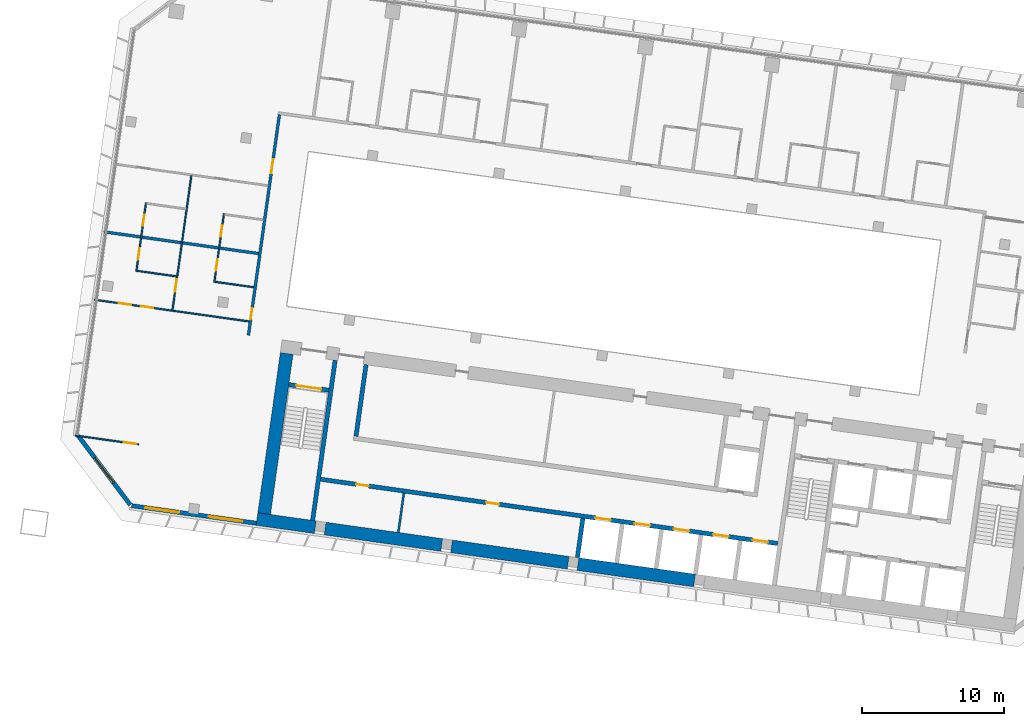
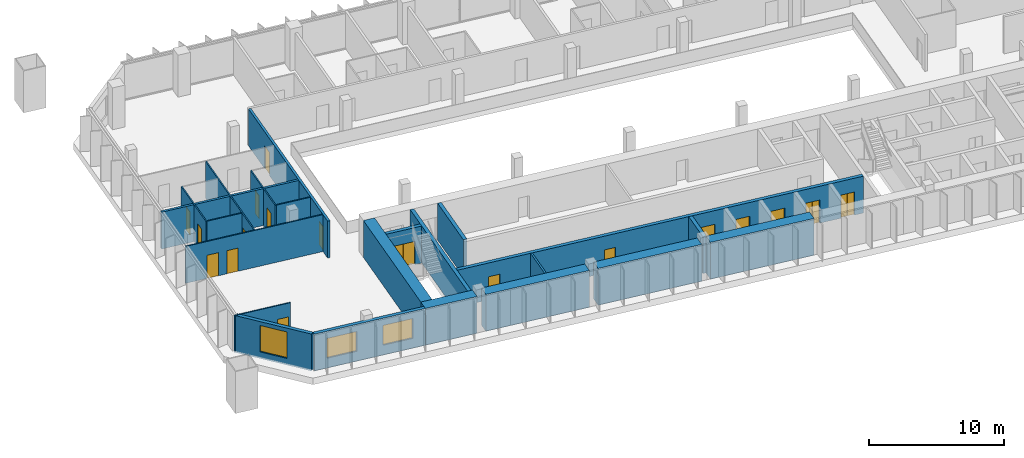
# One storey, part 14 of 24: 22 walls, 18 doors, 3 windows, 21 openings.
"""IFC4 building model written with IfcOpenShell, lengths in metres."""

from ifc_helpers import new_model, si_unit, direction, frame, frame_2d, origin, place, context, subcontext, project, spatial, rectangle, extrude, material, layer, layer_set, type_object, element, fill, save


model = new_model("IFC4")

# Units and contexts
model_context = context("Model", 3, precision=1e-05, world=origin(), true_north=direction((0.0, 1.0)))
body_context = subcontext(model_context, "Body", "Model", "MODEL_VIEW")
ifc_project = project(units=[si_unit("LENGTHUNIT", "METRE"), si_unit("AREAUNIT", "SQUARE_METRE"), si_unit("VOLUMEUNIT", "CUBIC_METRE"), si_unit("PLANEANGLEUNIT", "RADIAN"), si_unit("MASSUNIT", "GRAM", prefix="KILO")], contexts=[model_context])

# Site, building, storey
site_placement = place(None, origin())
site = spatial("IfcSite", under=ifc_project, at=site_placement, CompositionType="ELEMENT")
building_placement = place(site_placement, origin())
building = spatial("IfcBuilding", under=site, at=building_placement, Name="Mirante Cascada Hotel Towers", CompositionType="ELEMENT")
storey_placement = place(building_placement, frame((0.0, 0.0, 47.1)))
storey = spatial("IfcBuildingStorey", under=building, at=storey_placement, Name="L08", CompositionType="ELEMENT", Elevation=47.1)

# Wall
ifc_material_1 = material(Name="Fire-rated plasterboard on metal studs")
ifc_layer_1 = layer(ifc_material_1, 0.2)
ifc_layer_set_1 = layer_set([ifc_layer_1], Name="Compartment wall 200 EI 120")
wall_type_1 = type_object("IfcWallType", Name="Compartment wall 200 EI 120", PredefinedType="PARTITIONING", material=ifc_layer_set_1)
wall_1_placement = place(storey_placement, frame((-90.4064, 6.4896, 0.0), z_axis=(0.0, 0.0, 1.0), x_axis=(-0.990268, 0.1391733, 0.0)))
element("IfcWall", 1, at=wall_1_placement, inside=storey, type_object=wall_type_1, Name="Wall 1-L08-09", PredefinedType="PARTITIONING", context=body_context, shape_type="SweptSolid", body=[
    extrude(rectangle(XDim=11.0, YDim=0.2, at=frame_2d((5.5, 0.0))), origin(), (0.0, 0.0, 1.0), 3.35),
])

# Wall, openings, doors
wall_2_placement = place(storey_placement, frame((-88.9295, 16.2793, 0.0), z_axis=(0.0, 0.0, 1.0), x_axis=(-0.1391721, -0.9902682, 0.0)))
wall_2 = element("IfcWall", 2, at=wall_2_placement, inside=storey, type_object=wall_type_1, Name="Wall 1-L08-54", PredefinedType="PARTITIONING", context=body_context, shape_type="SweptSolid", body=[
    extrude(rectangle(XDim=15.7, YDim=0.2, at=frame_2d((7.85, 0.0))), origin(), (0.0, 0.0, 1.0), 3.35),
])
opening_1_placement = place(wall_2_placement, frame((13.7833, 0.0, 0.0)))
opening_1 = element("IfcOpeningElement", 3, at=opening_1_placement, cuts=wall_2, Name="Opening D1-L08-35", PredefinedType="OPENING", context=body_context, shape_type="SweptSolid", body=[
    extrude(rectangle(XDim=0.8, YDim=2.1, at=frame_2d((0.4, 1.05))), frame((0.0, 0.1, 0.0), z_axis=(0.0, -1.0, 0.0), x_axis=(1.0, 0.0, 0.0)), (0.0, 0.0, 1.0), 0.2),
])
opening_2_placement = place(wall_2_placement, frame((3.1834, 0.0, 0.0)))
opening_2 = element("IfcOpeningElement", 4, at=opening_2_placement, cuts=wall_2, Name="Opening D1-L08-36", PredefinedType="OPENING", context=body_context, shape_type="SweptSolid", body=[
    extrude(rectangle(XDim=1.0, YDim=2.1, at=frame_2d((0.5, 1.05))), frame((0.0, 0.1, 0.0), z_axis=(0.0, -1.0, 0.0), x_axis=(1.0, 0.0, 0.0)), (0.0, 0.0, 1.0), 0.2),
])
ifc_material_2 = material(Name="Fire-rated timber door leaf", Category="wood")
door_type_1 = type_object("IfcDoorType", Name="Bathroom door DG4 800x2100 EI 60", OperationType="SINGLE_SWING_LEFT", PredefinedType="DOOR", material=ifc_material_2)
door_1_placement = place(opening_1_placement, origin())
door_1 = element("IfcDoor", 5, at=door_1_placement, inside=storey, type_object=door_type_1, Name="Door D1-L08-35", OperationType="SINGLE_SWING_LEFT", OverallHeight=2.1, OverallWidth=0.8, PredefinedType="DOOR", context=body_context, shape_type="SweptSolid", body=[
    extrude(rectangle(XDim=0.8, YDim=2.1, at=frame_2d((0.4, 1.05))), frame((0.0, 0.025, 0.0), z_axis=(0.0, -1.0, 0.0), x_axis=(1.0, 0.0, 0.0)), (0.0, 0.0, 1.0), 0.05),
])
fill(opening_1, door_1)
ifc_material_3 = material(Name="Fire-rated timber door leaf", Category="wood")
door_type_2 = type_object("IfcDoorType", Name="Entrance door DG1 1000x2100 EI 60", OperationType="SINGLE_SWING_LEFT", PredefinedType="DOOR", material=ifc_material_3)
door_2_placement = place(opening_2_placement, frame((1.0, 0.0, 0.0), z_axis=(0.0, 0.0, 1.0), x_axis=(-1.0, 0.0, 0.0)))
door_2 = element("IfcDoor", 6, at=door_2_placement, inside=storey, type_object=door_type_2, Name="Door D1-L08-36", OperationType="SINGLE_SWING_RIGHT", OverallHeight=2.1, OverallWidth=1.0, PredefinedType="DOOR", context=body_context, shape_type="SweptSolid", body=[
    extrude(rectangle(XDim=1.0, YDim=2.1, at=frame_2d((0.5, 1.05))), frame((0.0, 0.025, 0.0), z_axis=(0.0, -1.0, 0.0), x_axis=(1.0, 0.0, 0.0)), (0.0, 0.0, 1.0), 0.05),
])
fill(opening_2, door_2)

# Wall
ifc_material_4 = material(Name="Masonry block", Category="masonry")
ifc_layer_2 = layer(ifc_material_4, 0.15)
ifc_layer_set_2 = layer_set([ifc_layer_2], Name="Core room partition 150 block EI 30")
wall_type_2 = type_object("IfcWallType", Name="Core room partition 150 block EI 30", PredefinedType="PARTITIONING", material=ifc_layer_set_2)
wall_3_placement = place(storey_placement, frame((-80.547, -13.174, 0.0), z_axis=(0.0, 0.0, 1.0), x_axis=(0.139176, 0.9902677, 0.0)))
element("IfcWall", 7, at=wall_3_placement, inside=storey, type_object=wall_type_2, Name="Core wall partition T1 L08 4", PredefinedType="PARTITIONING", context=body_context, shape_type="SweptSolid", body=[
    extrude(rectangle(XDim=2.8001, YDim=0.15, at=frame_2d((1.4, 0.0))), origin(), (0.0, 0.0, 1.0), 3.35),
])

# Wall, opening, door
ifc_material_5 = material(Name="Plasterboard on metal studs")
ifc_layer_3 = layer(ifc_material_5, 0.1)
ifc_layer_set_3 = layer_set([ifc_layer_3], Name="Partition 100")
wall_type_3 = type_object("IfcWallType", Name="Partition 100", PredefinedType="PARTITIONING", material=ifc_layer_set_3)
wall_4_placement = place(storey_placement, frame((-98.8611, -6.9647, 0.0), z_axis=(0.0, 0.0, 1.0), x_axis=(-0.9902674, 0.1391779, 0.0)))
wall_4 = element("IfcWall", 8, at=wall_4_placement, inside=storey, type_object=wall_type_3, Name="Wall 1-L08-01", PredefinedType="PARTITIONING", context=body_context, shape_type="SweptSolid", body=[
    extrude(rectangle(XDim=4.5, YDim=0.1, at=frame_2d((2.25, 0.0))), origin(), (0.0, 0.0, 1.0), 3.35),
])
opening_3_placement = place(wall_4_placement, frame((0.15, 0.0, 0.0)))
opening_3 = element("IfcOpeningElement", 9, at=opening_3_placement, cuts=wall_4, Name="Opening D1-L08-01", PredefinedType="OPENING", context=body_context, shape_type="SweptSolid", body=[
    extrude(rectangle(XDim=0.9, YDim=2.1, at=frame_2d((0.45, 1.05))), frame((0.0, 0.05, 0.0), z_axis=(0.0, -1.0, 0.0), x_axis=(1.0, 0.0, 0.0)), (0.0, 0.0, 1.0), 0.1),
])
ifc_material_6 = material(Name="Timber door leaf", Category="wood")
door_type_3 = type_object("IfcDoorType", Name="Room door DG3 900x2100", OperationType="SINGLE_SWING_LEFT", PredefinedType="DOOR", material=ifc_material_6)
door_3_placement = place(opening_3_placement, frame((0.9, 0.0, 0.0), z_axis=(0.0, 0.0, 1.0), x_axis=(-1.0, 0.0, 0.0)))
door_3 = element("IfcDoor", 10, at=door_3_placement, inside=storey, type_object=door_type_3, Name="Door D1-L08-01", OperationType="SINGLE_SWING_RIGHT", OverallHeight=2.1, OverallWidth=0.9, PredefinedType="DOOR", context=body_context, shape_type="SweptSolid", body=[
    extrude(rectangle(XDim=0.9, YDim=2.1, at=frame_2d((0.45, 1.05))), frame((0.0, 0.025, 0.0), z_axis=(0.0, -1.0, 0.0), x_axis=(1.0, 0.0, 0.0)), (0.0, 0.0, 1.0), 0.05),
])
fill(opening_3, door_3)

# Wall, openings, doors
wall_5_placement = place(storey_placement, frame((-91.079, 1.7033, 0.0), z_axis=(0.0, 0.0, 1.0), x_axis=(-0.9902682, 0.1391721, 0.0)))
wall_5 = element("IfcWall", 11, at=wall_5_placement, inside=storey, type_object=wall_type_3, Name="Wall 1-L08-05", PredefinedType="PARTITIONING", context=body_context, shape_type="SweptSolid", body=[
    extrude(rectangle(XDim=11.0001, YDim=0.1, at=frame_2d((5.5, 0.0))), origin(), (0.0, 0.0, 1.0), 3.35),
])
opening_4_placement = place(wall_5_placement, frame((6.8, 0.0, 0.0)))
opening_4 = element("IfcOpeningElement", 12, at=opening_4_placement, cuts=wall_5, Name="Opening D1-L08-03", PredefinedType="OPENING", context=body_context, shape_type="SweptSolid", body=[
    extrude(rectangle(XDim=0.9, YDim=2.1, at=frame_2d((0.45, 1.05))), frame((0.0, 0.05, 0.0), z_axis=(0.0, -1.0, 0.0), x_axis=(1.0, 0.0, 0.0)), (0.0, 0.0, 1.0), 0.1),
])
opening_5_placement = place(wall_5_placement, frame((8.375, 0.0, 0.0)))
opening_5 = element("IfcOpeningElement", 13, at=opening_5_placement, cuts=wall_5, Name="Opening D1-L08-04", PredefinedType="OPENING", context=body_context, shape_type="SweptSolid", body=[
    extrude(rectangle(XDim=0.9, YDim=2.1, at=frame_2d((0.45, 1.05))), frame((0.0, 0.05, 0.0), z_axis=(0.0, -1.0, 0.0), x_axis=(1.0, 0.0, 0.0)), (0.0, 0.0, 1.0), 0.1),
])
door_4_placement = place(opening_4_placement, origin())
door_4 = element("IfcDoor", 14, at=door_4_placement, inside=storey, type_object=door_type_3, Name="Door D1-L08-03", OperationType="SINGLE_SWING_LEFT", OverallHeight=2.1, OverallWidth=0.9, PredefinedType="DOOR", context=body_context, shape_type="SweptSolid", body=[
    extrude(rectangle(XDim=0.9, YDim=2.1, at=frame_2d((0.45, 1.05))), frame((0.0, 0.025, 0.0), z_axis=(0.0, -1.0, 0.0), x_axis=(1.0, 0.0, 0.0)), (0.0, 0.0, 1.0), 0.05),
])
fill(opening_4, door_4)
door_5_placement = place(opening_5_placement, origin())
door_5 = element("IfcDoor", 15, at=door_5_placement, inside=storey, type_object=door_type_3, Name="Door D1-L08-04", OperationType="SINGLE_SWING_LEFT", OverallHeight=2.1, OverallWidth=0.9, PredefinedType="DOOR", context=body_context, shape_type="SweptSolid", body=[
    extrude(rectangle(XDim=0.9, YDim=2.1, at=frame_2d((0.45, 1.05))), frame((0.0, 0.025, 0.0), z_axis=(0.0, -1.0, 0.0), x_axis=(1.0, 0.0, 0.0)), (0.0, 0.0, 1.0), 0.05),
])
fill(opening_5, door_5)

# Walls
wall_6_placement = place(storey_placement, frame((-93.4636, 4.4956, 0.0), z_axis=(0.0, 0.0, 1.0), x_axis=(0.9902691, -0.1391657, 0.0)))
element("IfcWall", 16, at=wall_6_placement, inside=storey, type_object=wall_type_3, Name="Wall 1-L08-06", PredefinedType="PARTITIONING", context=body_context, shape_type="SweptSolid", body=[
    extrude(rectangle(XDim=2.75, YDim=0.1, at=frame_2d((1.375, 0.0))), origin(), (0.0, 0.0, 1.0), 3.35),
])
wall_7_placement = place(storey_placement, frame((-96.1868, 4.8784, 0.0), z_axis=(0.0, 0.0, 1.0), x_axis=(-0.9902677, 0.139176, 0.0)))
element("IfcWall", 17, at=wall_7_placement, inside=storey, type_object=wall_type_3, Name="Wall 1-L08-07", PredefinedType="PARTITIONING", context=body_context, shape_type="SweptSolid", body=[
    extrude(rectangle(XDim=2.8001, YDim=0.1, at=frame_2d((1.4, 0.0))), origin(), (0.0, 0.0, 1.0), 3.35),
])

# Wall, openings, doors
wall_8_placement = place(storey_placement, frame((-93.5201, 4.4531, 0.0), z_axis=(0.0, 0.0, 1.0), x_axis=(0.1391838, 0.9902666, 0.0)))
wall_8 = element("IfcWall", 18, at=wall_8_placement, inside=storey, type_object=wall_type_3, Name="Wall 1-L08-55", PredefinedType="PARTITIONING", context=body_context, shape_type="SweptSolid", body=[
    extrude(rectangle(XDim=4.9, YDim=0.1, at=frame_2d((2.45, 0.0))), origin(), (0.0, 0.0, 1.0), 3.35),
])
opening_6_placement = place(wall_8_placement, frame((0.85, 0.0, 0.0)))
opening_6 = element("IfcOpeningElement", 19, at=opening_6_placement, cuts=wall_8, Name="Opening D1-L08-37", PredefinedType="OPENING", context=body_context, shape_type="SweptSolid", body=[
    extrude(rectangle(XDim=0.8, YDim=2.1, at=frame_2d((0.4, 1.05))), frame((0.0, 0.05, 0.0), z_axis=(0.0, -1.0, 0.0), x_axis=(1.0, 0.0, 0.0)), (0.0, 0.0, 1.0), 0.1),
])
opening_7_placement = place(wall_8_placement, frame((3.25, 0.0, 0.0)))
opening_7 = element("IfcOpeningElement", 20, at=opening_7_placement, cuts=wall_8, Name="Opening D1-L08-38", PredefinedType="OPENING", context=body_context, shape_type="SweptSolid", body=[
    extrude(rectangle(XDim=0.8, YDim=2.1, at=frame_2d((0.4, 1.05))), frame((0.0, 0.05, 0.0), z_axis=(0.0, -1.0, 0.0), x_axis=(1.0, 0.0, 0.0)), (0.0, 0.0, 1.0), 0.1),
])
ifc_material_7 = material(Name="Timber door leaf", Category="wood")
door_type_4 = type_object("IfcDoorType", Name="Bathroom door DG4 800x2100", OperationType="SINGLE_SWING_LEFT", PredefinedType="DOOR", material=ifc_material_7)
door_6_placement = place(opening_6_placement, frame((0.8, 0.0, 0.0), z_axis=(0.0, 0.0, 1.0), x_axis=(-1.0, 0.0, 0.0)))
door_6 = element("IfcDoor", 21, at=door_6_placement, inside=storey, type_object=door_type_4, Name="Door D1-L08-37", OperationType="SINGLE_SWING_RIGHT", OverallHeight=2.1, OverallWidth=0.8, PredefinedType="DOOR", context=body_context, shape_type="SweptSolid", body=[
    extrude(rectangle(XDim=0.8, YDim=2.1, at=frame_2d((0.4, 1.05))), frame((0.0, 0.025, 0.0), z_axis=(0.0, -1.0, 0.0), x_axis=(1.0, 0.0, 0.0)), (0.0, 0.0, 1.0), 0.05),
])
fill(opening_6, door_6)
door_7_placement = place(opening_7_placement, frame((0.8, 0.0, 0.0), z_axis=(0.0, 0.0, 1.0), x_axis=(-1.0, 0.0, 0.0)))
door_7 = element("IfcDoor", 22, at=door_7_placement, inside=storey, type_object=door_type_4, Name="Door D1-L08-38", OperationType="SINGLE_SWING_RIGHT", OverallHeight=2.1, OverallWidth=0.8, PredefinedType="DOOR", context=body_context, shape_type="SweptSolid", body=[
    extrude(rectangle(XDim=0.8, YDim=2.1, at=frame_2d((0.4, 1.05))), frame((0.0, 0.025, 0.0), z_axis=(0.0, -1.0, 0.0), x_axis=(1.0, 0.0, 0.0)), (0.0, 0.0, 1.0), 0.05),
])
fill(opening_7, door_7)

# Wall, opening, door
wall_9_placement = place(storey_placement, frame((-95.1376, 11.9848, 0.0), z_axis=(0.0, 0.0, 1.0), x_axis=(-0.1391717, -0.9902683, 0.0)))
wall_9 = element("IfcWall", 23, at=wall_9_placement, inside=storey, type_object=wall_type_3, Name="Wall 1-L08-56", PredefinedType="PARTITIONING", context=body_context, shape_type="SweptSolid", body=[
    extrude(rectangle(XDim=9.5666, YDim=0.1, at=frame_2d((4.7833, 0.0))), origin(), (0.0, 0.0, 1.0), 3.35),
])
opening_8_placement = place(wall_9_placement, frame((7.3666, 0.0, 0.0)))
opening_8 = element("IfcOpeningElement", 24, at=opening_8_placement, cuts=wall_9, Name="Opening D1-L08-39", PredefinedType="OPENING", context=body_context, shape_type="SweptSolid", body=[
    extrude(rectangle(XDim=0.9, YDim=2.1, at=frame_2d((0.45, 1.05))), frame((0.0, 0.05, 0.0), z_axis=(0.0, -1.0, 0.0), x_axis=(1.0, 0.0, 0.0)), (0.0, 0.0, 1.0), 0.1),
])
door_8_placement = place(opening_8_placement, origin())
door_8 = element("IfcDoor", 25, at=door_8_placement, inside=storey, type_object=door_type_3, Name="Door D1-L08-39", OperationType="SINGLE_SWING_LEFT", OverallHeight=2.1, OverallWidth=0.9, PredefinedType="DOOR", context=body_context, shape_type="SweptSolid", body=[
    extrude(rectangle(XDim=0.9, YDim=2.1, at=frame_2d((0.45, 1.05))), frame((0.0, 0.025, 0.0), z_axis=(0.0, -1.0, 0.0), x_axis=(1.0, 0.0, 0.0)), (0.0, 0.0, 1.0), 0.05),
])
fill(opening_8, door_8)

# Wall, openings, doors
wall_10_placement = place(storey_placement, frame((-99.0161, 5.2255, 0.0), z_axis=(0.0, 0.0, 1.0), x_axis=(0.1391838, 0.9902666, 0.0)))
wall_10 = element("IfcWall", 26, at=wall_10_placement, inside=storey, type_object=wall_type_3, Name="Wall 1-L08-57", PredefinedType="PARTITIONING", context=body_context, shape_type="SweptSolid", body=[
    extrude(rectangle(XDim=4.9, YDim=0.1, at=frame_2d((2.45, 0.0))), origin(), (0.0, 0.0, 1.0), 3.35),
])
opening_9_placement = place(wall_10_placement, frame((0.85, 0.0, 0.0)))
opening_9 = element("IfcOpeningElement", 27, at=opening_9_placement, cuts=wall_10, Name="Opening D1-L08-40", PredefinedType="OPENING", context=body_context, shape_type="SweptSolid", body=[
    extrude(rectangle(XDim=0.8, YDim=2.1, at=frame_2d((0.4, 1.05))), frame((0.0, 0.05, 0.0), z_axis=(0.0, -1.0, 0.0), x_axis=(1.0, 0.0, 0.0)), (0.0, 0.0, 1.0), 0.1),
])
opening_10_placement = place(wall_10_placement, frame((3.25, 0.0, 0.0)))
opening_10 = element("IfcOpeningElement", 28, at=opening_10_placement, cuts=wall_10, Name="Opening D1-L08-41", PredefinedType="OPENING", context=body_context, shape_type="SweptSolid", body=[
    extrude(rectangle(XDim=0.8, YDim=2.1, at=frame_2d((0.4, 1.05))), frame((0.0, 0.05, 0.0), z_axis=(0.0, -1.0, 0.0), x_axis=(1.0, 0.0, 0.0)), (0.0, 0.0, 1.0), 0.1),
])
door_9_placement = place(opening_9_placement, frame((0.8, 0.0, 0.0), z_axis=(0.0, 0.0, 1.0), x_axis=(-1.0, 0.0, 0.0)))
door_9 = element("IfcDoor", 29, at=door_9_placement, inside=storey, type_object=door_type_4, Name="Door D1-L08-40", OperationType="SINGLE_SWING_RIGHT", OverallHeight=2.1, OverallWidth=0.8, PredefinedType="DOOR", context=body_context, shape_type="SweptSolid", body=[
    extrude(rectangle(XDim=0.8, YDim=2.1, at=frame_2d((0.4, 1.05))), frame((0.0, 0.025, 0.0), z_axis=(0.0, -1.0, 0.0), x_axis=(1.0, 0.0, 0.0)), (0.0, 0.0, 1.0), 0.05),
])
fill(opening_9, door_9)
door_10_placement = place(opening_10_placement, frame((0.8, 0.0, 0.0), z_axis=(0.0, 0.0, 1.0), x_axis=(-1.0, 0.0, 0.0)))
door_10 = element("IfcDoor", 30, at=door_10_placement, inside=storey, type_object=door_type_4, Name="Door D1-L08-41", OperationType="SINGLE_SWING_RIGHT", OverallHeight=2.1, OverallWidth=0.8, PredefinedType="DOOR", context=body_context, shape_type="SweptSolid", body=[
    extrude(rectangle(XDim=0.8, YDim=2.1, at=frame_2d((0.4, 1.05))), frame((0.0, 0.025, 0.0), z_axis=(0.0, -1.0, 0.0), x_axis=(1.0, 0.0, 0.0)), (0.0, 0.0, 1.0), 0.05),
])
fill(opening_10, door_10)

# Wall, openings, windows
ifc_material_8 = material(Name="Precast concrete C40/50", Category="concrete")
ifc_layer_4 = layer(ifc_material_8, 0.3)
ifc_layer_set_4 = layer_set([ifc_layer_4], Name="Precast concrete C40/50 cladding wall 300")
wall_type_4 = type_object("IfcWallType", Name="Precast concrete C40/50 cladding wall 300", PredefinedType="STANDARD", material=ifc_layer_set_4)
wall_11_placement = place(storey_placement, frame((-90.5541, -12.5249, 0.0), z_axis=(0.0, 0.0, 1.0), x_axis=(-0.9902678, 0.1391749, 0.0)))
wall_11 = element("IfcWall", 31, at=wall_11_placement, inside=storey, type_object=wall_type_4, Name="Rear cladding wall T1 L08 1", PredefinedType="STANDARD", context=body_context, shape_type="SweptSolid", body=[
    extrude(rectangle(XDim=8.8759, YDim=0.3, at=frame_2d((4.438, 0.0))), origin(), (0.0, 0.0, 1.0), 3.35),
])
opening_11_placement = place(wall_11_placement, frame((1.0012, 0.0, 0.9)))
opening_11 = element("IfcOpeningElement", 32, at=opening_11_placement, cuts=wall_11, Name="Opening W1-08-01", PredefinedType="OPENING", context=body_context, shape_type="SweptSolid", body=[
    extrude(rectangle(XDim=2.4, YDim=1.8, at=frame_2d((1.2, 0.9))), frame((0.0, 0.15, 0.0), z_axis=(0.0, -1.0, 0.0), x_axis=(1.0, 0.0, 0.0)), (0.0, 0.0, 1.0), 0.3),
])
opening_12_placement = place(wall_11_placement, frame((5.4923, 0.0, 0.9)))
opening_12 = element("IfcOpeningElement", 33, at=opening_12_placement, cuts=wall_11, Name="Opening W1-08-02", PredefinedType="OPENING", context=body_context, shape_type="SweptSolid", body=[
    extrude(rectangle(XDim=2.4, YDim=1.8, at=frame_2d((1.2, 0.9))), frame((0.0, 0.15, 0.0), z_axis=(0.0, -1.0, 0.0), x_axis=(1.0, 0.0, 0.0)), (0.0, 0.0, 1.0), 0.3),
])
ifc_material_9 = material(Name="Aluminium frame with clear double glazing", Category="aluminium")
window_type_1 = type_object("IfcWindowType", Name="Punched window 2400x1800", PartitioningType="DOUBLE_PANEL_VERTICAL", PredefinedType="WINDOW", material=ifc_material_9)
window_1_placement = place(opening_11_placement, origin())
window_1 = element("IfcWindow", 34, at=window_1_placement, inside=storey, type_object=window_type_1, Name="Window W1-08-01", OverallHeight=1.8, OverallWidth=2.4, PartitioningType="SINGLE_PANEL", PredefinedType="WINDOW", context=body_context, shape_type="SweptSolid", body=[
    extrude(rectangle(XDim=2.4, YDim=1.8, at=frame_2d((1.2, 0.9))), frame((0.0, 0.03, 0.0), z_axis=(0.0, -1.0, 0.0), x_axis=(1.0, 0.0, 0.0)), (0.0, 0.0, 1.0), 0.06),
])
fill(opening_11, window_1)
window_2_placement = place(opening_12_placement, origin())
window_2 = element("IfcWindow", 35, at=window_2_placement, inside=storey, type_object=window_type_1, Name="Window W1-08-02", OverallHeight=1.8, OverallWidth=2.4, PartitioningType="SINGLE_PANEL", PredefinedType="WINDOW", context=body_context, shape_type="SweptSolid", body=[
    extrude(rectangle(XDim=2.4, YDim=1.8, at=frame_2d((1.2, 0.9))), frame((0.0, 0.03, 0.0), z_axis=(0.0, -1.0, 0.0), x_axis=(1.0, 0.0, 0.0)), (0.0, 0.0, 1.0), 0.06),
])
fill(opening_12, window_2)

# Wall, opening, window
wall_12_placement = place(storey_placement, frame((-99.4423, -11.2315, 0.0), z_axis=(0.0, 0.0, 1.0), x_axis=(-0.6018141, 0.7986362, 0.0)))
wall_12 = element("IfcWall", 36, at=wall_12_placement, inside=storey, type_object=wall_type_4, Name="Corner cladding wall T1 L08 rear outer", PredefinedType="STANDARD", context=body_context, shape_type="SweptSolid", body=[
    extrude(rectangle(XDim=6.1157, YDim=0.3, at=frame_2d((3.0578, 0.0))), origin(), (0.0, 0.0, 1.0), 3.35),
])
opening_13_placement = place(wall_12_placement, frame((1.9578, 0.0, 0.6)))
opening_13 = element("IfcOpeningElement", 37, at=opening_13_placement, cuts=wall_12, Name="Opening W1-08-03", PredefinedType="OPENING", context=body_context, shape_type="SweptSolid", body=[
    extrude(rectangle(XDim=2.2, YDim=2.4, at=frame_2d((1.1, 1.2))), frame((0.0, 0.15, 0.0), z_axis=(0.0, -1.0, 0.0), x_axis=(1.0, 0.0, 0.0)), (0.0, 0.0, 1.0), 0.3),
])
ifc_material_10 = material(Name="Aluminium frame with clear double glazing", Category="aluminium")
window_type_2 = type_object("IfcWindowType", Name="Corner suite window 2200x2400", PartitioningType="DOUBLE_PANEL_VERTICAL", PredefinedType="WINDOW", material=ifc_material_10)
window_3_placement = place(opening_13_placement, origin())
window_3 = element("IfcWindow", 38, at=window_3_placement, inside=storey, type_object=window_type_2, Name="Window W1-08-03", OverallHeight=2.4, OverallWidth=2.2, PartitioningType="SINGLE_PANEL", PredefinedType="WINDOW", context=body_context, shape_type="SweptSolid", body=[
    extrude(rectangle(XDim=2.2, YDim=2.4, at=frame_2d((1.1, 1.2))), frame((0.0, 0.03, 0.0), z_axis=(0.0, -1.0, 0.0), x_axis=(1.0, 0.0, 0.0)), (0.0, 0.0, 1.0), 0.06),
])
fill(opening_13, window_3)

# Wall
ifc_material_11 = material(Name="Concrete C50/60", Category="concrete")
ifc_layer_5 = layer(ifc_material_11, 0.3)
ifc_layer_set_5 = layer_set([ifc_layer_5], Name="RC core wall 300 C50/60")
wall_type_5 = type_object("IfcWallType", Name="RC core wall 300 C50/60", PredefinedType="SHEAR", material=ifc_layer_set_5)
wall_13_placement = place(storey_placement, frame((-86.5877, -12.325, 0.0), z_axis=(0.0, 0.0, 1.0), x_axis=(0.1391749, 0.9902678, 0.0)))
element("IfcWall", 39, at=wall_13_placement, inside=storey, type_object=wall_type_5, Name="Core wall T1:L08:8", PredefinedType="SHEAR", context=body_context, shape_type="SweptSolid", body=[
    extrude(rectangle(XDim=11.4, YDim=0.3, at=frame_2d((5.7, 0.0))), origin(), (0.0, 0.0, 1.0), 3.35),
])

# Wall, opening, door
wall_14_placement = place(storey_placement, frame((-85.4489, -3.1441, 0.0), z_axis=(0.0, 0.0, 1.0), x_axis=(-0.9902697, 0.1391613, 0.0)))
wall_14 = element("IfcWall", 40, at=wall_14_placement, inside=storey, type_object=wall_type_5, Name="Core wall T1:L08:11", PredefinedType="SHEAR", context=body_context, shape_type="SweptSolid", body=[
    extrude(rectangle(XDim=2.8499, YDim=0.3, at=frame_2d((1.425, 0.0))), origin(), (0.0, 0.0, 1.0), 3.35),
])
opening_14_placement = place(wall_14_placement, frame((0.525, 0.0, 0.0)))
opening_14 = element("IfcOpeningElement", 41, at=opening_14_placement, cuts=wall_14, Name="Opening D1-08-C17", PredefinedType="OPENING", context=body_context, shape_type="SweptSolid", body=[
    extrude(rectangle(XDim=1.8, YDim=2.1, at=frame_2d((0.9, 1.05))), frame((0.0, 0.15, 0.0), z_axis=(0.0, -1.0, 0.0), x_axis=(1.0, 0.0, 0.0)), (0.0, 0.0, 1.0), 0.3),
])
ifc_material_12 = material(Name="Hollow metal fire door leaf")
door_type_5 = type_object("IfcDoorType", Name="Double fire door 1800x2100 FD60", OperationType="DOUBLE_DOOR_SINGLE_SWING", PredefinedType="DOOR", material=ifc_material_12)
door_11_placement = place(opening_14_placement, origin())
door_11 = element("IfcDoor", 42, at=door_11_placement, inside=storey, type_object=door_type_5, Name="Stair door T1 L08 17", OperationType="DOUBLE_DOOR_SINGLE_SWING", OverallHeight=2.1, OverallWidth=1.8, PredefinedType="DOOR", context=body_context, shape_type="SweptSolid", body=[
    extrude(rectangle(XDim=0.895, YDim=2.1, at=frame_2d((0.4475, 1.05))), frame((0.0, 0.025, 0.0), z_axis=(0.0, -1.0, 0.0), x_axis=(1.0, 0.0, 0.0)), (0.0, 0.0, 1.0), 0.05),
    extrude(rectangle(XDim=0.895, YDim=2.1, at=frame_2d((1.3525, 1.05))), frame((0.0, 0.025, 0.0), z_axis=(0.0, -1.0, 0.0), x_axis=(1.0, 0.0, 0.0)), (0.0, 0.0, 1.0), 0.05),
])
fill(opening_14, door_11)

# Wall, openings, doors
wall_15_placement = place(storey_placement, frame((-53.7953, -13.9547, 0.0), z_axis=(0.0, 0.0, 1.0), x_axis=(-0.990268, 0.1391733, 0.0)))
wall_15 = element("IfcWall", 43, at=wall_15_placement, inside=storey, type_object=wall_type_5, Name="Core wall T1:L08:24", PredefinedType="SHEAR", context=body_context, shape_type="SweptSolid", body=[
    extrude(rectangle(XDim=32.5501, YDim=0.3, at=frame_2d((16.275, 0.0))), origin(), (0.0, 0.0, 1.0), 3.35),
])
opening_15_placement = place(wall_15_placement, frame((0.7, 0.0, 0.0)))
opening_15 = element("IfcOpeningElement", 44, at=opening_15_placement, cuts=wall_15, Name="Opening LD", PredefinedType="OPENING", context=body_context, shape_type="SweptSolid", body=[
    extrude(rectangle(XDim=1.1, YDim=2.1, at=frame_2d((0.55, 1.05))), frame((0.0, 0.15, 0.0), z_axis=(0.0, -1.0, 0.0), x_axis=(1.0, 0.0, 0.0)), (0.0, 0.0, 1.0), 0.3),
])
opening_16_placement = place(wall_15_placement, frame((3.5, 0.0, 0.0)))
opening_16 = element("IfcOpeningElement", 45, at=opening_16_placement, cuts=wall_15, Name="Opening LD", PredefinedType="OPENING", context=body_context, shape_type="SweptSolid", body=[
    extrude(rectangle(XDim=1.1, YDim=2.1, at=frame_2d((0.55, 1.05))), frame((0.0, 0.15, 0.0), z_axis=(0.0, -1.0, 0.0), x_axis=(1.0, 0.0, 0.0)), (0.0, 0.0, 1.0), 0.3),
])
opening_17_placement = place(wall_15_placement, frame((6.3, 0.0, 0.0)))
opening_17 = element("IfcOpeningElement", 46, at=opening_17_placement, cuts=wall_15, Name="Opening LD", PredefinedType="OPENING", context=body_context, shape_type="SweptSolid", body=[
    extrude(rectangle(XDim=1.1, YDim=2.1, at=frame_2d((0.55, 1.05))), frame((0.0, 0.15, 0.0), z_axis=(0.0, -1.0, 0.0), x_axis=(1.0, 0.0, 0.0)), (0.0, 0.0, 1.0), 0.3),
])
opening_18_placement = place(wall_15_placement, frame((9.1, 0.0, 0.0)))
opening_18 = element("IfcOpeningElement", 47, at=opening_18_placement, cuts=wall_15, Name="Opening LD", PredefinedType="OPENING", context=body_context, shape_type="SweptSolid", body=[
    extrude(rectangle(XDim=1.1, YDim=2.1, at=frame_2d((0.55, 1.05))), frame((0.0, 0.15, 0.0), z_axis=(0.0, -1.0, 0.0), x_axis=(1.0, 0.0, 0.0)), (0.0, 0.0, 1.0), 0.3),
])
opening_19_placement = place(wall_15_placement, frame((11.9, 0.0, 0.0)))
opening_19 = element("IfcOpeningElement", 48, at=opening_19_placement, cuts=wall_15, Name="Opening LD", PredefinedType="OPENING", context=body_context, shape_type="SweptSolid", body=[
    extrude(rectangle(XDim=1.1, YDim=2.1, at=frame_2d((0.55, 1.05))), frame((0.0, 0.15, 0.0), z_axis=(0.0, -1.0, 0.0), x_axis=(1.0, 0.0, 0.0)), (0.0, 0.0, 1.0), 0.3),
])
opening_20_placement = place(wall_15_placement, frame((19.85, 0.0, 0.0)))
opening_20 = element("IfcOpeningElement", 49, at=opening_20_placement, cuts=wall_15, Name="Opening D1-08-C25", PredefinedType="OPENING", context=body_context, shape_type="SweptSolid", body=[
    extrude(rectangle(XDim=0.9, YDim=2.1, at=frame_2d((0.45, 1.05))), frame((0.0, 0.15, 0.0), z_axis=(0.0, -1.0, 0.0), x_axis=(1.0, 0.0, 0.0)), (0.0, 0.0, 1.0), 0.3),
])
opening_21_placement = place(wall_15_placement, frame((29.125, 0.0, 0.0)))
opening_21 = element("IfcOpeningElement", 50, at=opening_21_placement, cuts=wall_15, Name="Opening D1-08-C26", PredefinedType="OPENING", context=body_context, shape_type="SweptSolid", body=[
    extrude(rectangle(XDim=0.9, YDim=2.1, at=frame_2d((0.45, 1.05))), frame((0.0, 0.15, 0.0), z_axis=(0.0, -1.0, 0.0), x_axis=(1.0, 0.0, 0.0)), (0.0, 0.0, 1.0), 0.3),
])
ifc_material_13 = material(Name="Hollow metal fire door leaf")
door_type_6 = type_object("IfcDoorType", Name="Fire door 900x2100 FD60", OperationType="NOTDEFINED", PredefinedType="DOOR", material=ifc_material_13)
door_12_placement = place(opening_20_placement, origin())
door_12 = element("IfcDoor", 51, at=door_12_placement, inside=storey, type_object=door_type_6, Name="Room door T1 L08 25", OperationType="SINGLE_SWING_LEFT", OverallHeight=2.1, OverallWidth=0.9, PredefinedType="DOOR", context=body_context, shape_type="SweptSolid", body=[
    extrude(rectangle(XDim=0.9, YDim=2.1, at=frame_2d((0.45, 1.05))), frame((0.0, 0.025, 0.0), z_axis=(0.0, -1.0, 0.0), x_axis=(1.0, 0.0, 0.0)), (0.0, 0.0, 1.0), 0.05),
])
fill(opening_20, door_12)
door_13_placement = place(opening_21_placement, origin())
door_13 = element("IfcDoor", 52, at=door_13_placement, inside=storey, type_object=door_type_6, Name="Room door T1 L08 26", OperationType="SINGLE_SWING_LEFT", OverallHeight=2.1, OverallWidth=0.9, PredefinedType="DOOR", context=body_context, shape_type="SweptSolid", body=[
    extrude(rectangle(XDim=0.9, YDim=2.1, at=frame_2d((0.45, 1.05))), frame((0.0, 0.025, 0.0), z_axis=(0.0, -1.0, 0.0), x_axis=(1.0, 0.0, 0.0)), (0.0, 0.0, 1.0), 0.05),
])
fill(opening_21, door_13)
ifc_material_14 = material(Name="Stainless steel", Category="steel")
door_type_7 = type_object("IfcDoorType", Name="Lift landing door 1100x2100 EI 120", OperationType="DOUBLE_DOOR_SLIDING", PredefinedType="DOOR", material=ifc_material_14)
door_14_placement = place(opening_15_placement, origin())
door_14 = element("IfcDoor", 53, at=door_14_placement, inside=storey, type_object=door_type_7, Name="Lift landing door LR1-1 L08", OperationType="DOUBLE_DOOR_SLIDING", OverallHeight=2.1, OverallWidth=1.1, PredefinedType="DOOR", context=body_context, shape_type="SweptSolid", body=[
    extrude(rectangle(XDim=0.545, YDim=2.1, at=frame_2d((0.2725, 1.05))), frame((0.0, 0.025, 0.0), z_axis=(0.0, -1.0, 0.0), x_axis=(1.0, 0.0, 0.0)), (0.0, 0.0, 1.0), 0.05),
    extrude(rectangle(XDim=0.545, YDim=2.1, at=frame_2d((0.8275, 1.05))), frame((0.0, 0.025, 0.0), z_axis=(0.0, -1.0, 0.0), x_axis=(1.0, 0.0, 0.0)), (0.0, 0.0, 1.0), 0.05),
])
fill(opening_15, door_14)
door_15_placement = place(opening_16_placement, origin())
door_15 = element("IfcDoor", 54, at=door_15_placement, inside=storey, type_object=door_type_7, Name="Lift landing door LR1-2 L08", OperationType="DOUBLE_DOOR_SLIDING", OverallHeight=2.1, OverallWidth=1.1, PredefinedType="DOOR", context=body_context, shape_type="SweptSolid", body=[
    extrude(rectangle(XDim=0.545, YDim=2.1, at=frame_2d((0.2725, 1.05))), frame((0.0, 0.025, 0.0), z_axis=(0.0, -1.0, 0.0), x_axis=(1.0, 0.0, 0.0)), (0.0, 0.0, 1.0), 0.05),
    extrude(rectangle(XDim=0.545, YDim=2.1, at=frame_2d((0.8275, 1.05))), frame((0.0, 0.025, 0.0), z_axis=(0.0, -1.0, 0.0), x_axis=(1.0, 0.0, 0.0)), (0.0, 0.0, 1.0), 0.05),
])
fill(opening_16, door_15)
door_16_placement = place(opening_17_placement, origin())
door_16 = element("IfcDoor", 55, at=door_16_placement, inside=storey, type_object=door_type_7, Name="Lift landing door SV1-1 L08", OperationType="DOUBLE_DOOR_SLIDING", OverallHeight=2.1, OverallWidth=1.1, PredefinedType="DOOR", context=body_context, shape_type="SweptSolid", body=[
    extrude(rectangle(XDim=0.545, YDim=2.1, at=frame_2d((0.2725, 1.05))), frame((0.0, 0.025, 0.0), z_axis=(0.0, -1.0, 0.0), x_axis=(1.0, 0.0, 0.0)), (0.0, 0.0, 1.0), 0.05),
    extrude(rectangle(XDim=0.545, YDim=2.1, at=frame_2d((0.8275, 1.05))), frame((0.0, 0.025, 0.0), z_axis=(0.0, -1.0, 0.0), x_axis=(1.0, 0.0, 0.0)), (0.0, 0.0, 1.0), 0.05),
])
fill(opening_17, door_16)
door_17_placement = place(opening_18_placement, origin())
door_17 = element("IfcDoor", 56, at=door_17_placement, inside=storey, type_object=door_type_7, Name="Lift landing door SV1-2 L08", OperationType="DOUBLE_DOOR_SLIDING", OverallHeight=2.1, OverallWidth=1.1, PredefinedType="DOOR", context=body_context, shape_type="SweptSolid", body=[
    extrude(rectangle(XDim=0.545, YDim=2.1, at=frame_2d((0.2725, 1.05))), frame((0.0, 0.025, 0.0), z_axis=(0.0, -1.0, 0.0), x_axis=(1.0, 0.0, 0.0)), (0.0, 0.0, 1.0), 0.05),
    extrude(rectangle(XDim=0.545, YDim=2.1, at=frame_2d((0.8275, 1.05))), frame((0.0, 0.025, 0.0), z_axis=(0.0, -1.0, 0.0), x_axis=(1.0, 0.0, 0.0)), (0.0, 0.0, 1.0), 0.05),
])
fill(opening_18, door_17)
door_18_placement = place(opening_19_placement, origin())
door_18 = element("IfcDoor", 57, at=door_18_placement, inside=storey, type_object=door_type_7, Name="Lift landing door SV1-3 L08", OperationType="DOUBLE_DOOR_SLIDING", OverallHeight=2.1, OverallWidth=1.1, PredefinedType="DOOR", context=body_context, shape_type="SweptSolid", body=[
    extrude(rectangle(XDim=0.545, YDim=2.1, at=frame_2d((0.2725, 1.05))), frame((0.0, 0.025, 0.0), z_axis=(0.0, -1.0, 0.0), x_axis=(1.0, 0.0, 0.0)), (0.0, 0.0, 1.0), 0.05),
    extrude(rectangle(XDim=0.545, YDim=2.1, at=frame_2d((0.8275, 1.05))), frame((0.0, 0.025, 0.0), z_axis=(0.0, -1.0, 0.0), x_axis=(1.0, 0.0, 0.0)), (0.0, 0.0, 1.0), 0.05),
])
fill(opening_19, door_18)

# Walls
wall_16_placement = place(storey_placement, frame((-67.9211, -14.9484, 0.0), z_axis=(0.0, 0.0, 1.0), x_axis=(0.139181, 0.990267, 0.0)))
element("IfcWall", 58, at=wall_16_placement, inside=storey, type_object=wall_type_5, Name="Core wall T1:L08:29", PredefinedType="SHEAR", context=body_context, shape_type="SweptSolid", body=[
    extrude(rectangle(XDim=2.8, YDim=0.3, at=frame_2d((1.4, 0.0))), origin(), (0.0, 0.0, 1.0), 3.35),
])
wall_17_placement = place(storey_placement, frame((-83.5323, -6.3925, 0.0), z_axis=(0.0, 0.0, 1.0), x_axis=(0.1391755, 0.9902677, 0.0)))
element("IfcWall", 59, at=wall_17_placement, inside=storey, type_object=wall_type_5, Name="Core wall T1:L08:33", PredefinedType="SHEAR", context=body_context, shape_type="SweptSolid", body=[
    extrude(rectangle(XDim=5.1, YDim=0.3, at=frame_2d((2.55, 0.0))), origin(), (0.0, 0.0, 1.0), 3.35),
])
ifc_material_15 = material(Name="Concrete C50/60", Category="concrete")
ifc_layer_6 = layer(ifc_material_15, 0.9)
ifc_layer_set_6 = layer_set([ifc_layer_6], Name="RC core wall 900 C50/60")
wall_type_6 = type_object("IfcWallType", Name="RC core wall 900 C50/60", PredefinedType="SHEAR", material=ifc_layer_set_6)
for number, where, z_axis, x_axis, name in (
    (60, (-59.6655, -16.5631, 0.0), (0.0, 0.0, 1.0), (-0.9902686, 0.1391692, 0.0), "Core wall T1:L08:1.4"),
    (61, (-68.5779, -15.3105, 0.0), (0.0, 0.0, 1.0), (-0.9902686, 0.1391692, 0.0), "Core wall T1:L08:1.5"),
    (62, (-77.4903, -14.058, 0.0), (0.0, 0.0, 1.0), (-0.990267, 0.139181, 0.0), "Core wall T1:L08:1.6"),
):
    element("IfcWall", number, at=place(storey_placement, frame(where, z_axis=z_axis, x_axis=x_axis)), inside=storey, type_object=wall_type_6, Name=name, PredefinedType="SHEAR", context=body_context, shape_type="SweptSolid", body=[
        extrude(rectangle(XDim=8.3, YDim=0.9, at=frame_2d((4.15, 0.0))), origin(), (0.0, 0.0, 1.0), 3.35),
    ])
wall_18_placement = place(storey_placement, frame((-86.4027, -12.8054, 0.0), z_axis=(0.0, 0.0, 1.0), x_axis=(-0.990267, 0.139181, 0.0)))
element("IfcWall", 63, at=wall_18_placement, inside=storey, type_object=wall_type_6, Name="Core wall T1:L08:1.7", PredefinedType="SHEAR", context=body_context, shape_type="SweptSolid", body=[
    extrude(rectangle(XDim=4.15, YDim=0.9, at=frame_2d((2.075, 0.0))), origin(), (0.0, 0.0, 1.0), 3.35),
])
wall_19_placement = place(storey_placement, frame((-90.0041, -11.8449, 0.0), z_axis=(0.0, 0.0, 1.0), x_axis=(0.1391749, 0.9902678, 0.0)))
element("IfcWall", 64, at=wall_19_placement, inside=storey, type_object=wall_type_6, Name="Core wall T1:L08:4", PredefinedType="SHEAR", context=body_context, shape_type="SweptSolid", body=[
    extrude(rectangle(XDim=11.4, YDim=0.9, at=frame_2d((5.7, 0.0))), origin(), (0.0, 0.0, 1.0), 3.35),
])

save(model, "model.ifc")
